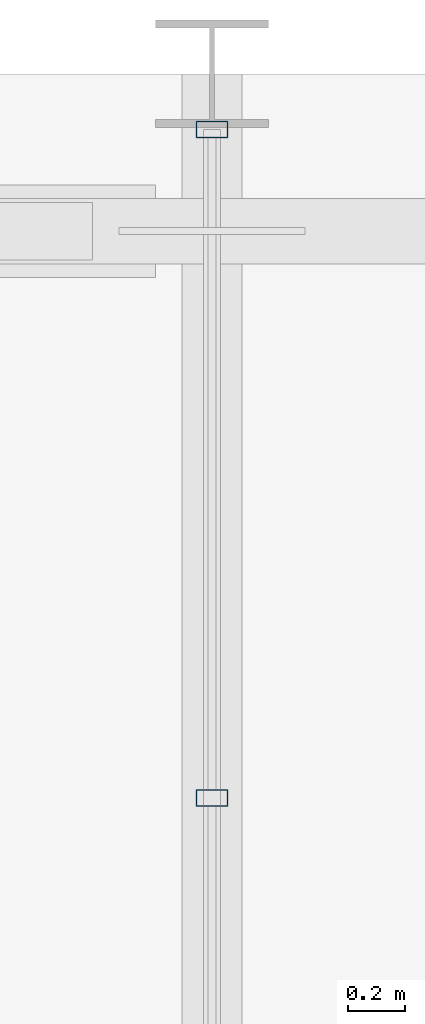
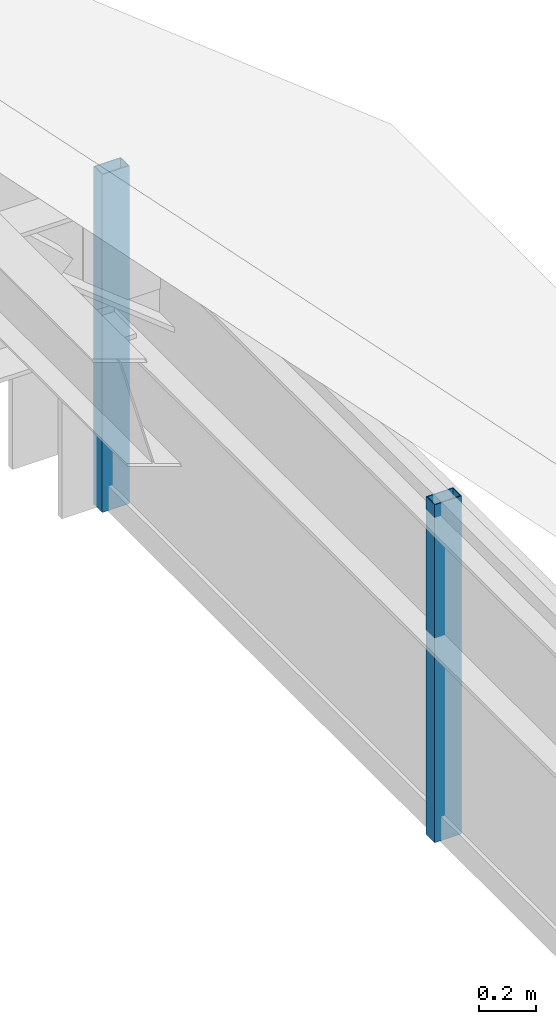
# One storey, part 40 of 44: 2 members, 1 element without a shape of its own.
"""IFC4 building model written with IfcOpenShell, lengths in metres."""

import ifcopenshell
import ifcopenshell.guid

model = None  # the IFC model being written
_history = None  # IfcOwnerHistory: only IFC2X3 demands one
_inside = {}  # id of a spatial element -> (the spatial element, [elements in it])
_under = {}  # id of a project, library or spatial element -> (it, [spatial elements below it])
_declared = {}  # id of a project -> (the project, [libraries it declares])
_typed = {}  # id of a type object -> (the type object, [elements of that type])
_made_of = {}  # id of a material, layer set ... -> (it, [elements and type objects made of it])


def new_model(schema):
    """Start an empty IFC model of exactly this schema.

    Asked for "IFC4X3", IfcOpenShell would pick the latest addendum, in which some entities
    have other attributes; the version numbers below select the first issue.
    IFC2X3 requires an IfcOwnerHistory on every rooted entity: one is made here for all.
    """
    global model, _history
    if schema == "IFC4X3":
        model = ifcopenshell.file(schema_version=(4, 3, 0, 0))
    else:
        model = ifcopenshell.file(schema=schema)
    _inside.clear()
    _under.clear()
    _declared.clear()
    _typed.clear()
    _made_of.clear()
    _history = None
    if model.schema == "IFC2X3":
        org = make("IfcOrganization", Name="unknown")
        user = make(
            "IfcPersonAndOrganization",
            ThePerson=make("IfcPerson", FamilyName="unknown"),
            TheOrganization=org,
        )
        app = make(
            "IfcApplication",
            ApplicationDeveloper=org,
            Version="unknown",
            ApplicationFullName="unknown",
            ApplicationIdentifier="unknown",
        )
        _history = make(
            "IfcOwnerHistory",
            OwningUser=user,
            OwningApplication=app,
            ChangeAction="ADDED",
            CreationDate=0,
        )
    return model


def make(cls, **values):
    """One entity of the class cls with the attributes given. An attribute that is None is left unset."""
    return model.create_entity(
        cls, **{name: value for name, value in values.items() if value is not None}
    )


def rooted(cls, **values):
    """An entity with a GlobalId (a new one), such as an element, a storey or a relation."""
    return make(cls, GlobalId=ifcopenshell.guid.new(), OwnerHistory=_history, **values)


def si_unit(unit_type, name, prefix=None):
    """IfcSIUnit, for example si_unit("LENGTHUNIT", "METRE", prefix="MILLI")."""
    return make("IfcSIUnit", UnitType=unit_type, Prefix=prefix, Name=name)


def assignment(units):
    """IfcUnitAssignment: the units of a project."""
    return None if units is None else make("IfcUnitAssignment", Units=units)


def point(xyz):
    """IfcCartesianPoint."""
    return None if xyz is None else make("IfcCartesianPoint", Coordinates=xyz)


def direction(xyz):
    """IfcDirection."""
    return None if xyz is None else make("IfcDirection", DirectionRatios=xyz)


def frame(location, z_axis=None, x_axis=None):
    """IfcAxis2Placement3D, a coordinate frame: its origin and axes. An axis left out is left unset."""
    return make(
        "IfcAxis2Placement3D",
        Location=point(location),
        Axis=direction(z_axis),
        RefDirection=direction(x_axis),
    )


def frame_2d(location, x_axis=None):
    """IfcAxis2Placement2D, a coordinate frame in the plane: its origin and x axis."""
    return make(
        "IfcAxis2Placement2D", Location=point(location), RefDirection=direction(x_axis)
    )


def origin():
    """The frame at (0, 0, 0) with its axes left unset."""
    return frame((0.0, 0.0, 0.0))


def origin_2d():
    """The frame at (0, 0) in the plane with its x axis left unset."""
    return frame_2d((0.0, 0.0))


def place(relative_to, where):
    """IfcLocalPlacement: puts the frame where relative to a parent placement (None: the world)."""
    return make(
        "IfcLocalPlacement", PlacementRelTo=relative_to, RelativePlacement=where
    )


def context(
    kind, dimensions, precision=None, world=None, true_north=None, identifier=None
):
    """IfcGeometricRepresentationContext, for example the 3D "Model" context."""
    return make(
        "IfcGeometricRepresentationContext",
        ContextIdentifier=identifier,
        ContextType=kind,
        CoordinateSpaceDimension=dimensions,
        Precision=precision,
        WorldCoordinateSystem=world,
        TrueNorth=true_north,
    )


def subcontext(parent, identifier, kind, view, scale=None):
    """IfcGeometricRepresentationSubContext, for example "Body" below "Model"."""
    return make(
        "IfcGeometricRepresentationSubContext",
        ContextIdentifier=identifier,
        ContextType=kind,
        ParentContext=parent,
        TargetScale=scale,
        TargetView=view,
    )


def project(units=None, contexts=None):
    """IfcProject with its units and contexts."""
    return rooted(
        "IfcProject",
        Name="project",
        RepresentationContexts=contexts,
        UnitsInContext=assignment(units),
    )


def spatial(cls, under=None, at=None, **own):
    """A site, building, storey or space (cls), placed at a placement, below another one or the project."""
    s = rooted(cls, ObjectPlacement=at, **own)
    if under is not None:
        _under.setdefault(under.id(), (under, []))[1].append(s)
    return s


def profile(cls, at=None, kind="AREA", **sizes):
    """A parametric profile (cls). Its sizes go by their IFC names, for example OverallWidth=200.0."""
    return make(cls, ProfileType=kind, Position=at, **sizes)


def hollow_rectangle(**sizes):
    """IfcRectangleHollowProfileDef."""
    return profile("IfcRectangleHollowProfileDef", **sizes)


def extrude(swept, where, along, depth):
    """IfcExtrudedAreaSolid: the profile swept, set in the frame where, extruded along a direction by depth."""
    return make(
        "IfcExtrudedAreaSolid",
        SweptArea=swept,
        Position=where,
        ExtrudedDirection=direction(along),
        Depth=depth,
    )


def shape(context_of_items, identifier, shape_type, items):
    """IfcShapeRepresentation: the items that make up one representation, for example the "Body"."""
    return make(
        "IfcShapeRepresentation",
        ContextOfItems=context_of_items,
        RepresentationIdentifier=identifier,
        RepresentationType=shape_type,
        Items=items,
    )


def material(Name=None, Category=None):
    """IfcMaterial."""
    return make("IfcMaterial", Name=Name, Category=Category)


def material_profile(
    of_material, cross_section, Name=None, Category=None, Priority=None
):
    """IfcMaterialProfile: a cross section and its material."""
    return make(
        "IfcMaterialProfile",
        Name=Name,
        Material=of_material,
        Profile=cross_section,
        Priority=Priority,
        Category=Category,
    )


def profile_set(profiles, Name=None, composite=None):
    """IfcMaterialProfileSet."""
    return make(
        "IfcMaterialProfileSet",
        Name=Name,
        MaterialProfiles=profiles,
        CompositeProfile=composite,
    )


def made_of(thing, what):
    """Note that an element or type object is made of a material, layer set ...; save() writes the relation."""
    if what is not None:
        _made_of.setdefault(what.id(), (what, []))[1].append(thing)
    return thing


def type_object(cls, material=None, **own):
    """A type object (cls), such as IfcWallType, which elements share."""
    return made_of(rooted(cls, **own), material)


def element(
    cls,
    number,
    at=None,
    inside=None,
    cuts=None,
    type_object=None,
    material=None,
    context=None,
    identifier="Body",
    shape_type=None,
    held_by="IfcProductDefinitionShape",
    body=None,
    shapes=None,
    **own,
):
    """One element of the class cls, such as IfcWall. Its Tag is "e" and its number.

    at: its placement. inside: the storey or other place that contains it. cuts: it is an
    opening in that element (IfcRelVoidsElement). A single representation is given by context,
    identifier, shape_type and body (its items); several are given by shapes. held_by: the class
    of the entity that holds the representations. save() writes the other relations.
    """
    e = rooted(cls, Tag="e%d" % number, ObjectPlacement=at, **own)
    if body is not None:
        shapes = [shape(context, identifier, shape_type, body)]
    if shapes is not None:
        e.Representation = make(held_by, Representations=shapes)
    if inside is not None:
        _inside.setdefault(inside.id(), (inside, []))[1].append(e)
    if cuts is not None:
        rooted(
            "IfcRelVoidsElement", RelatingBuildingElement=cuts, RelatedOpeningElement=e
        )
    if type_object is not None:
        _typed.setdefault(type_object.id(), (type_object, []))[1].append(e)
    return made_of(e, material)


def aggregate(whole, parts):
    """IfcRelAggregates: a whole, such as a stair, and the parts it consists of."""
    return rooted("IfcRelAggregates", RelatingObject=whole, RelatedObjects=parts)


def save(model, path):
    """Write the relations noted so far, then the file.

    IfcRelAggregates (storeys below a building ...), IfcRelContainedInSpatialStructure (elements
    in a storey), IfcRelDefinesByType, IfcRelAssociatesMaterial and IfcRelDeclares: one each for
    every whole, place, type object, material and project.
    """
    for whole, parts in _under.values():
        aggregate(whole, parts)
    for where, things in _inside.values():
        rooted(
            "IfcRelContainedInSpatialStructure",
            RelatedElements=things,
            RelatingStructure=where,
        )
    for kind, things in _typed.values():
        rooted("IfcRelDefinesByType", RelatedObjects=things, RelatingType=kind)
    for what, things in _made_of.values():
        rooted("IfcRelAssociatesMaterial", RelatedObjects=things, RelatingMaterial=what)
    for by, libraries in _declared.values():
        rooted("IfcRelDeclares", RelatingContext=by, RelatedDefinitions=libraries)
    model.write(path)


model = new_model("IFC4")

# Units and contexts
model_context = context("Model", 3, precision=1e-05, world=origin(), true_north=direction((0.0, 1.0)))
body_context = subcontext(model_context, "Body", "Model", "MODEL_VIEW")
ifc_project = project(units=[si_unit("LENGTHUNIT", "METRE"), si_unit("AREAUNIT", "SQUARE_METRE"), si_unit("VOLUMEUNIT", "CUBIC_METRE"), si_unit("PLANEANGLEUNIT", "RADIAN"), si_unit("MASSUNIT", "GRAM", prefix="KILO")], contexts=[model_context])

# Site, building, storey
site_placement = place(None, origin())
site = spatial("IfcSite", under=ifc_project, at=site_placement, CompositionType="ELEMENT")
building_placement = place(site_placement, origin())
building = spatial("IfcBuilding", under=site, at=building_placement, Name="Cimatlan Art Gallery", CompositionType="ELEMENT")
storey_placement = place(building_placement, frame((0.0, 0.0, 26.39990234375)))
storey = spatial("IfcBuildingStorey", under=building, at=storey_placement, Name="Roof", CompositionType="ELEMENT", Elevation=26.39990234375)

# Curtain wall, members
ifc_material_1 = material(Name="Anodised bronze unitised curtain wall")
curtain_wall_type = type_object("IfcCurtainWallType", Name="CW-V-07010X01450-B3", PredefinedType="NOTDEFINED", material=ifc_material_1)
curtain_wall_placement = place(storey_placement, origin())
curtain_wall = element("IfcCurtainWall", 1, at=curtain_wall_placement, inside=storey, type_object=curtain_wall_type, Name="CW-CRW-E-10", PredefinedType="NOTDEFINED")
ifc_material_2 = material(Name="Anodised bronze aluminium 6063-T6", Category="aluminium")
ifc_material_profile = material_profile(ifc_material_2, hollow_rectangle(XDim=0.06005859375, YDim=0.110107421875, WallThickness=0.00341796875, at=origin_2d()), Name="ALU60X110X3")
ifc_profile_set = profile_set([ifc_material_profile], Name="Anodised bronze aluminium 6063-T6")
member_type = type_object("IfcMemberType", Name="CW-MUL-110", PredefinedType="MULLION", material=ifc_profile_set)
member_1_placement = place(storey_placement, frame((99.199951171875, 82.905029296875, 0.0), z_axis=(0.0, 0.0, 1.0), x_axis=(0.0, 1.0, 0.0)))
member_1 = element("IfcMember", 2, at=member_1_placement, type_object=member_type, Name="CW-CRW-E-10-M1", PredefinedType="MULLION", context=body_context, shape_type="SweptSolid", body=[
    extrude(hollow_rectangle(XDim=0.06005859375, YDim=0.110107421875, WallThickness=0.00341796875, at=origin_2d()), origin(), (0.0, 0.0, 1.0), 1.4501953125),
])
member_2_placement = place(storey_placement, frame((99.199951171875, 80.568359375, 0.0), z_axis=(0.0, 0.0, 1.0), x_axis=(0.0, 1.0, 0.0)))
member_2 = element("IfcMember", 3, at=member_2_placement, type_object=member_type, Name="CW-CRW-E-10-M2", PredefinedType="MULLION", context=body_context, shape_type="SweptSolid", body=[
    extrude(hollow_rectangle(XDim=0.06005859375, YDim=0.110107421875, WallThickness=0.00341796875, at=origin_2d()), origin(), (0.0, 0.0, 1.0), 1.4501953125),
])
aggregate(curtain_wall, [member_1, member_2])

save(model, "model.ifc")
